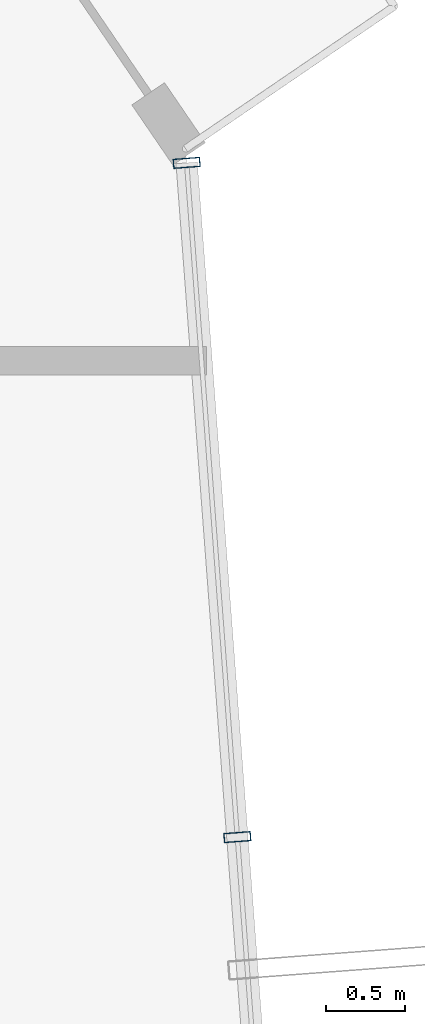
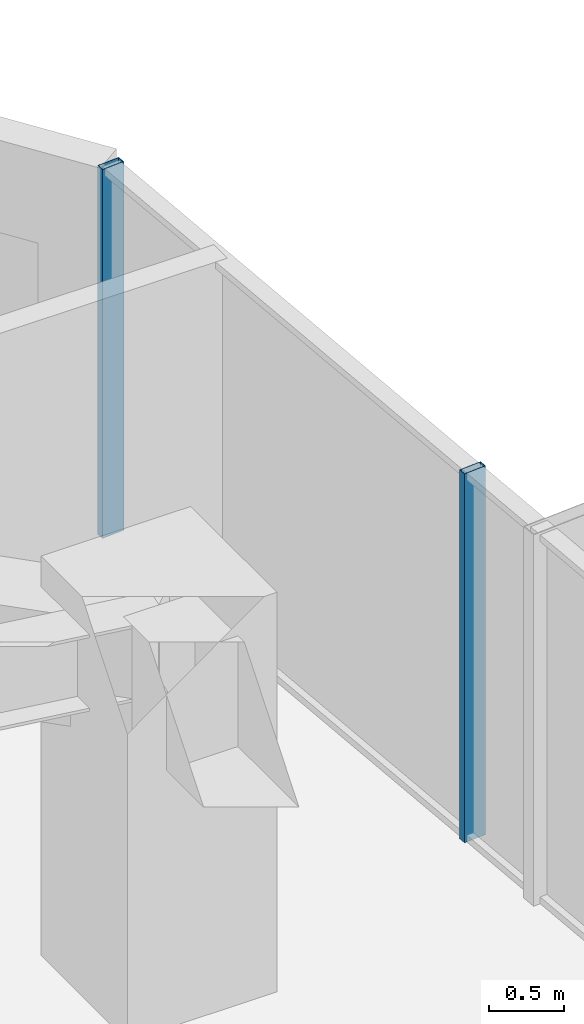
# One storey, part 19 of 35: 2 members, 1 element without a shape of its own.
"""IFC4 building model written with IfcOpenShell, lengths in metres."""

import ifcopenshell
import ifcopenshell.guid

model = None  # the IFC model being written
_history = None  # IfcOwnerHistory: only IFC2X3 demands one
_inside = {}  # id of a spatial element -> (the spatial element, [elements in it])
_under = {}  # id of a project, library or spatial element -> (it, [spatial elements below it])
_declared = {}  # id of a project -> (the project, [libraries it declares])
_typed = {}  # id of a type object -> (the type object, [elements of that type])
_made_of = {}  # id of a material, layer set ... -> (it, [elements and type objects made of it])


def new_model(schema):
    """Start an empty IFC model of exactly this schema.

    Asked for "IFC4X3", IfcOpenShell would pick the latest addendum, in which some entities
    have other attributes; the version numbers below select the first issue.
    IFC2X3 requires an IfcOwnerHistory on every rooted entity: one is made here for all.
    """
    global model, _history
    if schema == "IFC4X3":
        model = ifcopenshell.file(schema_version=(4, 3, 0, 0))
    else:
        model = ifcopenshell.file(schema=schema)
    _inside.clear()
    _under.clear()
    _declared.clear()
    _typed.clear()
    _made_of.clear()
    _history = None
    if model.schema == "IFC2X3":
        org = make("IfcOrganization", Name="unknown")
        user = make(
            "IfcPersonAndOrganization",
            ThePerson=make("IfcPerson", FamilyName="unknown"),
            TheOrganization=org,
        )
        app = make(
            "IfcApplication",
            ApplicationDeveloper=org,
            Version="unknown",
            ApplicationFullName="unknown",
            ApplicationIdentifier="unknown",
        )
        _history = make(
            "IfcOwnerHistory",
            OwningUser=user,
            OwningApplication=app,
            ChangeAction="ADDED",
            CreationDate=0,
        )
    return model


def make(cls, **values):
    """One entity of the class cls with the attributes given. An attribute that is None is left unset."""
    return model.create_entity(
        cls, **{name: value for name, value in values.items() if value is not None}
    )


def rooted(cls, **values):
    """An entity with a GlobalId (a new one), such as an element, a storey or a relation."""
    return make(cls, GlobalId=ifcopenshell.guid.new(), OwnerHistory=_history, **values)


def si_unit(unit_type, name, prefix=None):
    """IfcSIUnit, for example si_unit("LENGTHUNIT", "METRE", prefix="MILLI")."""
    return make("IfcSIUnit", UnitType=unit_type, Prefix=prefix, Name=name)


def assignment(units):
    """IfcUnitAssignment: the units of a project."""
    return None if units is None else make("IfcUnitAssignment", Units=units)


def point(xyz):
    """IfcCartesianPoint."""
    return None if xyz is None else make("IfcCartesianPoint", Coordinates=xyz)


def direction(xyz):
    """IfcDirection."""
    return None if xyz is None else make("IfcDirection", DirectionRatios=xyz)


def frame(location, z_axis=None, x_axis=None):
    """IfcAxis2Placement3D, a coordinate frame: its origin and axes. An axis left out is left unset."""
    return make(
        "IfcAxis2Placement3D",
        Location=point(location),
        Axis=direction(z_axis),
        RefDirection=direction(x_axis),
    )


def frame_2d(location, x_axis=None):
    """IfcAxis2Placement2D, a coordinate frame in the plane: its origin and x axis."""
    return make(
        "IfcAxis2Placement2D", Location=point(location), RefDirection=direction(x_axis)
    )


def origin():
    """The frame at (0, 0, 0) with its axes left unset."""
    return frame((0.0, 0.0, 0.0))


def origin_2d():
    """The frame at (0, 0) in the plane with its x axis left unset."""
    return frame_2d((0.0, 0.0))


def place(relative_to, where):
    """IfcLocalPlacement: puts the frame where relative to a parent placement (None: the world)."""
    return make(
        "IfcLocalPlacement", PlacementRelTo=relative_to, RelativePlacement=where
    )


def context(
    kind, dimensions, precision=None, world=None, true_north=None, identifier=None
):
    """IfcGeometricRepresentationContext, for example the 3D "Model" context."""
    return make(
        "IfcGeometricRepresentationContext",
        ContextIdentifier=identifier,
        ContextType=kind,
        CoordinateSpaceDimension=dimensions,
        Precision=precision,
        WorldCoordinateSystem=world,
        TrueNorth=true_north,
    )


def subcontext(parent, identifier, kind, view, scale=None):
    """IfcGeometricRepresentationSubContext, for example "Body" below "Model"."""
    return make(
        "IfcGeometricRepresentationSubContext",
        ContextIdentifier=identifier,
        ContextType=kind,
        ParentContext=parent,
        TargetScale=scale,
        TargetView=view,
    )


def project(units=None, contexts=None):
    """IfcProject with its units and contexts."""
    return rooted(
        "IfcProject",
        Name="project",
        RepresentationContexts=contexts,
        UnitsInContext=assignment(units),
    )


def spatial(cls, under=None, at=None, **own):
    """A site, building, storey or space (cls), placed at a placement, below another one or the project."""
    s = rooted(cls, ObjectPlacement=at, **own)
    if under is not None:
        _under.setdefault(under.id(), (under, []))[1].append(s)
    return s


def profile(cls, at=None, kind="AREA", **sizes):
    """A parametric profile (cls). Its sizes go by their IFC names, for example OverallWidth=200.0."""
    return make(cls, ProfileType=kind, Position=at, **sizes)


def hollow_rectangle(**sizes):
    """IfcRectangleHollowProfileDef."""
    return profile("IfcRectangleHollowProfileDef", **sizes)


def extrude(swept, where, along, depth):
    """IfcExtrudedAreaSolid: the profile swept, set in the frame where, extruded along a direction by depth."""
    return make(
        "IfcExtrudedAreaSolid",
        SweptArea=swept,
        Position=where,
        ExtrudedDirection=direction(along),
        Depth=depth,
    )


def shape(context_of_items, identifier, shape_type, items):
    """IfcShapeRepresentation: the items that make up one representation, for example the "Body"."""
    return make(
        "IfcShapeRepresentation",
        ContextOfItems=context_of_items,
        RepresentationIdentifier=identifier,
        RepresentationType=shape_type,
        Items=items,
    )


def source(mapping_origin, context_of_items, identifier, shape_type, items):
    """IfcRepresentationMap: a shape defined once, which mapped items show again and again."""
    return make(
        "IfcRepresentationMap",
        MappingOrigin=mapping_origin,
        MappedRepresentation=shape(context_of_items, identifier, shape_type, items),
    )


def transform(
    local_origin,
    x_axis=None,
    y_axis=None,
    z_axis=None,
    scale=None,
    scale2=None,
    scale3=None,
    uniform=True,
):
    """IfcCartesianTransformationOperator3D, or its non-uniform kind. x_axis, y_axis, z_axis: its Axis1, 2, 3."""
    if uniform:
        return make(
            "IfcCartesianTransformationOperator3D",
            Axis1=direction(x_axis),
            Axis2=direction(y_axis),
            LocalOrigin=point(local_origin),
            Scale=scale,
            Axis3=direction(z_axis),
        )
    return make(
        "IfcCartesianTransformationOperator3DnonUniform",
        Axis1=direction(x_axis),
        Axis2=direction(y_axis),
        LocalOrigin=point(local_origin),
        Scale=scale,
        Axis3=direction(z_axis),
        Scale2=scale2,
        Scale3=scale3,
    )


def mapped(mapping_source, mapping_target):
    """IfcMappedItem: shows the shape of a source again, moved by a transform."""
    return make(
        "IfcMappedItem", MappingSource=mapping_source, MappingTarget=mapping_target
    )


def material(Name=None, Category=None):
    """IfcMaterial."""
    return make("IfcMaterial", Name=Name, Category=Category)


def layer(
    of_material, thickness, ventilated=None, Name=None, Category=None, Priority=None
):
    """IfcMaterialLayer: one layer of a wall or slab, of a material (None: an air gap)."""
    return make(
        "IfcMaterialLayer",
        Material=of_material,
        LayerThickness=thickness,
        IsVentilated=ventilated,
        Name=Name,
        Category=Category,
        Priority=Priority,
    )


def layer_set(layers, Name=None):
    """IfcMaterialLayerSet."""
    return make("IfcMaterialLayerSet", MaterialLayers=layers, LayerSetName=Name)


def material_profile(
    of_material, cross_section, Name=None, Category=None, Priority=None
):
    """IfcMaterialProfile: a cross section and its material."""
    return make(
        "IfcMaterialProfile",
        Name=Name,
        Material=of_material,
        Profile=cross_section,
        Priority=Priority,
        Category=Category,
    )


def profile_set(profiles, Name=None, composite=None):
    """IfcMaterialProfileSet."""
    return make(
        "IfcMaterialProfileSet",
        Name=Name,
        MaterialProfiles=profiles,
        CompositeProfile=composite,
    )


def made_of(thing, what):
    """Note that an element or type object is made of a material, layer set ...; save() writes the relation."""
    if what is not None:
        _made_of.setdefault(what.id(), (what, []))[1].append(thing)
    return thing


def type_object(cls, material=None, **own):
    """A type object (cls), such as IfcWallType, which elements share."""
    return made_of(rooted(cls, **own), material)


def element(
    cls,
    number,
    at=None,
    inside=None,
    cuts=None,
    type_object=None,
    material=None,
    context=None,
    identifier="Body",
    shape_type=None,
    held_by="IfcProductDefinitionShape",
    body=None,
    shapes=None,
    **own,
):
    """One element of the class cls, such as IfcWall. Its Tag is "e" and its number.

    at: its placement. inside: the storey or other place that contains it. cuts: it is an
    opening in that element (IfcRelVoidsElement). A single representation is given by context,
    identifier, shape_type and body (its items); several are given by shapes. held_by: the class
    of the entity that holds the representations. save() writes the other relations.
    """
    e = rooted(cls, Tag="e%d" % number, ObjectPlacement=at, **own)
    if body is not None:
        shapes = [shape(context, identifier, shape_type, body)]
    if shapes is not None:
        e.Representation = make(held_by, Representations=shapes)
    if inside is not None:
        _inside.setdefault(inside.id(), (inside, []))[1].append(e)
    if cuts is not None:
        rooted(
            "IfcRelVoidsElement", RelatingBuildingElement=cuts, RelatedOpeningElement=e
        )
    if type_object is not None:
        _typed.setdefault(type_object.id(), (type_object, []))[1].append(e)
    return made_of(e, material)


def aggregate(whole, parts):
    """IfcRelAggregates: a whole, such as a stair, and the parts it consists of."""
    return rooted("IfcRelAggregates", RelatingObject=whole, RelatedObjects=parts)


def save(model, path):
    """Write the relations noted so far, then the file.

    IfcRelAggregates (storeys below a building ...), IfcRelContainedInSpatialStructure (elements
    in a storey), IfcRelDefinesByType, IfcRelAssociatesMaterial and IfcRelDeclares: one each for
    every whole, place, type object, material and project.
    """
    for whole, parts in _under.values():
        aggregate(whole, parts)
    for where, things in _inside.values():
        rooted(
            "IfcRelContainedInSpatialStructure",
            RelatedElements=things,
            RelatingStructure=where,
        )
    for kind, things in _typed.values():
        rooted("IfcRelDefinesByType", RelatedObjects=things, RelatingType=kind)
    for what, things in _made_of.values():
        rooted("IfcRelAssociatesMaterial", RelatedObjects=things, RelatingMaterial=what)
    for by, libraries in _declared.values():
        rooted("IfcRelDeclares", RelatingContext=by, RelatedDefinitions=libraries)
    model.write(path)


model = new_model("IFC4")

# Units and contexts
model_context = context("Model", 3, precision=1e-05, world=origin(), true_north=direction((0.0, 1.0)))
body_context = subcontext(model_context, "Body", "Model", "MODEL_VIEW")
ifc_project = project(units=[si_unit("LENGTHUNIT", "METRE"), si_unit("AREAUNIT", "SQUARE_METRE"), si_unit("VOLUMEUNIT", "CUBIC_METRE"), si_unit("PLANEANGLEUNIT", "RADIAN"), si_unit("MASSUNIT", "GRAM", prefix="KILO")], contexts=[model_context])

# Site, building, storey
site_placement = place(None, origin())
site = spatial("IfcSite", under=ifc_project, at=site_placement, CompositionType="ELEMENT")
building_placement = place(site_placement, origin())
building = spatial("IfcBuilding", under=site, at=building_placement, Name="Veraguas Prism Commons", CompositionType="ELEMENT")
storey_placement = place(building_placement, frame((0.0, 0.0, 142.5)))
storey = spatial("IfcBuildingStorey", under=building, at=storey_placement, Name="L40", CompositionType="ELEMENT", Elevation=142.5)

# Curtain wall, members
ifc_material = material(Name="Anodised aluminium EN AW-6063 T6", Category="aluminium")
ifc_layer = layer(ifc_material, 0.169921875, Name="Unitised Flush Curtain Wall Zone 2", Category="aluminium")
ifc_layer_set = layer_set([ifc_layer], Name="Anodised aluminium EN AW-6063 T6")
curtain_wall_type = type_object("IfcCurtainWallType", Name="Unitised Flush Curtain Wall Zone 2", PredefinedType="NOTDEFINED", material=ifc_layer_set)
curtain_wall_placement = place(storey_placement, origin())
curtain_wall = element("IfcCurtainWall", 1, at=curtain_wall_placement, inside=storey, type_object=curtain_wall_type, Name="Tower Facade Curtain Wall L40-F6", PredefinedType="NOTDEFINED")
ifc_material_profile = material_profile(ifc_material, hollow_rectangle(XDim=0.06005859375, YDim=0.169921875, WallThickness=0.00390625, at=origin_2d()), Name="AL60X170X4")
ifc_profile_set = profile_set([ifc_material_profile], Name="Anodised aluminium EN AW-6063 T6")
member_type = type_object("IfcMemberType", Name="Curtain Wall Mullion Lower AL 60x170x4", PredefinedType="MULLION", material=ifc_profile_set)
shared_shape = source(origin(), body_context, "Body", "SweptSolid", [
    extrude(hollow_rectangle(XDim=0.06005859375, YDim=0.169921875, WallThickness=0.00390625, at=origin_2d()), origin(), (0.0, 0.0, 1.0), 3.0),
])
member_1_placement = place(storey_placement, frame((42.805419921875, 29.734619140625, 0.0), z_axis=(0.0, 0.0, 1.0), x_axis=(-0.074978726826, 0.997185133525, 0.0)))
member_1 = element("IfcMember", 2, at=member_1_placement, type_object=member_type, Name="CW-Z2 Mullion 4", PredefinedType="MULLION", context=body_context, shape_type="MappedRepresentation", body=[
    mapped(shared_shape, transform((0.0, 0.0, 0.0), scale=1.0)),
])
member_2_placement = place(storey_placement, frame((42.484619140625, 34.001220703125, 0.0), z_axis=(0.0, 0.0, 1.0), x_axis=(-0.074978726826, 0.997185133525, 0.0)))
member_2 = element("IfcMember", 3, at=member_2_placement, type_object=member_type, Name="CW-Z2 Mullion 5", PredefinedType="MULLION", context=body_context, shape_type="MappedRepresentation", body=[
    mapped(shared_shape, transform((0.0, 0.0, 0.0), scale=1.0)),
])
aggregate(curtain_wall, [member_1, member_2])

save(model, "model.ifc")
